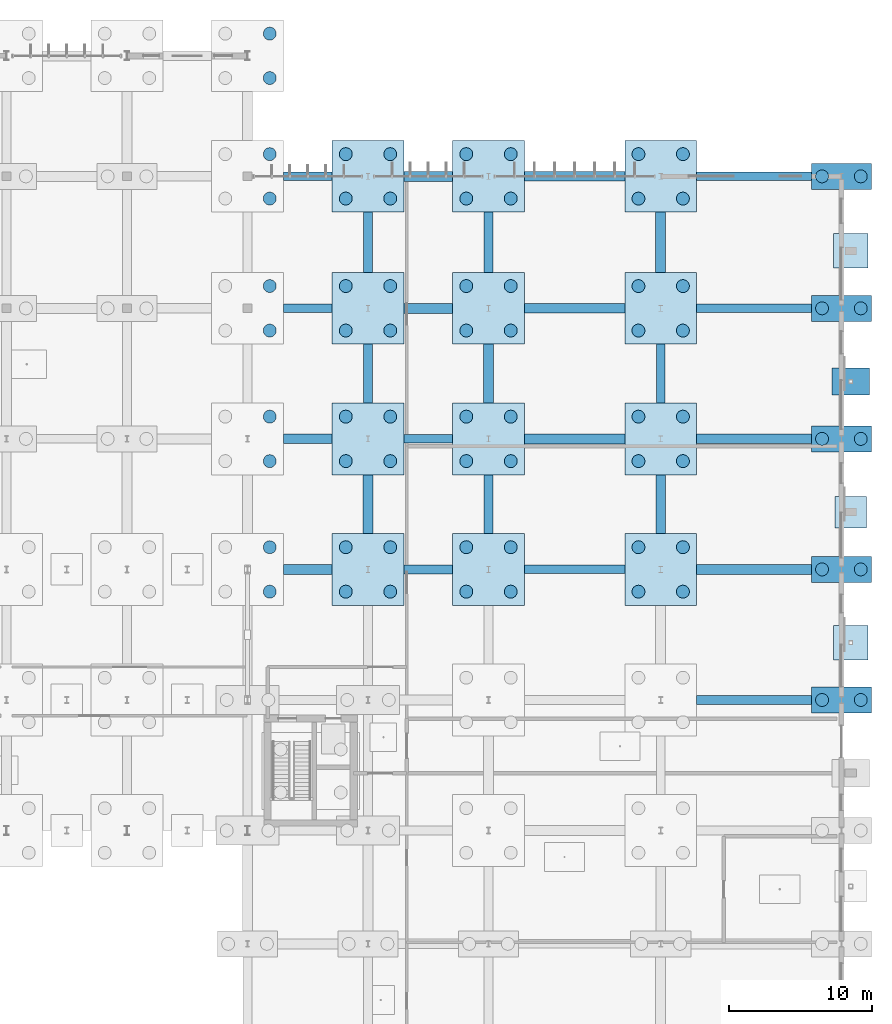
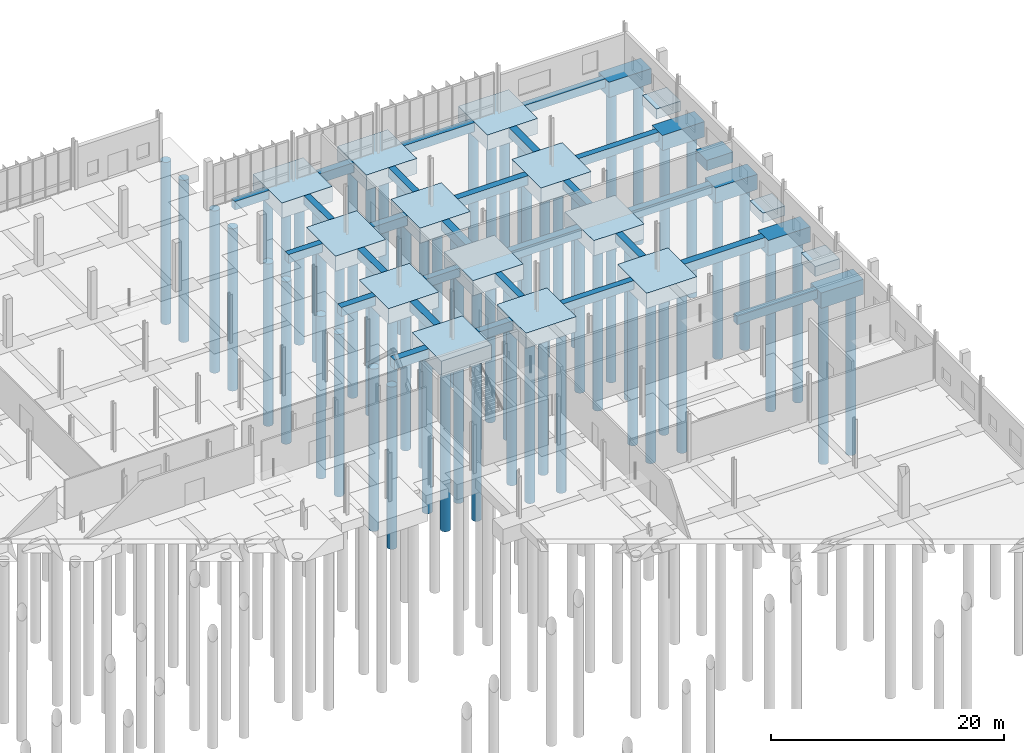
# One storey, part 8 of 119: 68 piles, 47 footings.
"""IFC4 building model written with IfcOpenShell, lengths in metres."""

from ifc_helpers import new_model, si_unit, derived_unit, direction, frame, origin, origin_2d, place, context, subcontext, project, spatial, rectangle, circle, extrude, material, layer, layer_set, material_profile, profile_set, type_object, element, save


model = new_model("IFC4")

# Units and contexts
model_context = context("Model", 3, precision=1e-05, world=origin(), true_north=direction((0.0, 1.0)))
body_context = subcontext(model_context, "Body", "Model", "MODEL_VIEW")
ifc_project = project(units=[si_unit("LENGTHUNIT", "METRE"), si_unit("AREAUNIT", "SQUARE_METRE"), si_unit("VOLUMEUNIT", "CUBIC_METRE"), si_unit("PLANEANGLEUNIT", "RADIAN"), si_unit("MASSUNIT", "GRAM", prefix="KILO"), derived_unit("THERMALTRANSMITTANCEUNIT", [(si_unit("MASSUNIT", "GRAM", prefix="KILO"), 1), (si_unit("TIMEUNIT", "SECOND"), -3), (si_unit("THERMODYNAMICTEMPERATUREUNIT", "KELVIN"), -1)])], contexts=[model_context])

# Site, building, storey
site_placement = place(None, origin())
site = spatial("IfcSite", under=ifc_project, at=site_placement, CompositionType="ELEMENT")
building_placement = place(site_placement, origin())
building = spatial("IfcBuilding", under=site, at=building_placement, Name="Makaiwela Harbour Ferry Terminal", CompositionType="ELEMENT")
storey_placement = place(building_placement, origin())
storey = spatial("IfcBuildingStorey", under=building, at=storey_placement, Name="L00", CompositionType="ELEMENT", Elevation=0.0)

# Footings
ifc_material = material(Name="Concrete f'c 45 MPa (6500 psi)", Category="concrete")
ifc_layer_1 = layer(ifc_material, 1.0)
ifc_layer_set_1 = layer_set([ifc_layer_1], Name="Concrete f'c 45 MPa (6500 psi)")
footing_type_1 = type_object("IfcFootingType", Name="FND-PAD-01", PredefinedType="PAD_FOOTING", material=ifc_layer_set_1)
footing_1_placement = place(storey_placement, frame((180.64990234375, 71.60009765625, -1.0), z_axis=(0.0, 0.0, 1.0), x_axis=(1.0, 0.0, 0.0)))
element("IfcFooting", 1, at=footing_1_placement, inside=storey, type_object=footing_type_1, Name="Foundation Footing PF-01", PredefinedType="PAD_FOOTING", context=body_context, shape_type="SweptSolid", body=[
    extrude(rectangle(XDim=2.199951171875, YDim=2.199951171875, at=origin_2d()), origin(), (0.0, 0.0, 1.0), 1.0),
])
ifc_layer_2 = layer(ifc_material, 1.10009765625)
ifc_layer_set_2 = layer_set([ifc_layer_2], Name="Concrete f'c 45 MPa (6500 psi)")
footing_type_2 = type_object("IfcFootingType", Name="FND-PAD-02", PredefinedType="PAD_FOOTING", material=ifc_layer_set_2)
footing_2_placement = place(storey_placement, frame((180.64990234375, 80.699951171875, -1.10009765625), z_axis=(0.0, 0.0, 1.0), x_axis=(1.0, 0.0, 0.0)))
element("IfcFooting", 2, at=footing_2_placement, inside=storey, type_object=footing_type_2, Name="Foundation Footing PF-02", PredefinedType="PAD_FOOTING", context=body_context, shape_type="SweptSolid", body=[
    extrude(rectangle(XDim=2.60009765625, YDim=1.89990234375, at=origin_2d()), origin(), (0.0, 0.0, 1.0), 1.10009765625),
])
ifc_layer_3 = layer(ifc_material, 1.050048828125)
ifc_layer_set_3 = layer_set([ifc_layer_3], Name="Concrete f'c 45 MPa (6500 psi)")
footing_type_3 = type_object("IfcFootingType", Name="FND-PAD-03", PredefinedType="PAD_FOOTING", material=ifc_layer_set_3)
for number, where, z_axis, x_axis, name in (
    (3, (180.64990234375, 62.5, -1.0498046875), (0.0, 0.0, 1.0), (1.0, 0.0, 0.0), "Foundation Footing PF-03"),
    (4, (180.64990234375, 89.800048828125, -1.0498046875), (0.0, 0.0, 1.0), (1.0, 0.0, 0.0), "Foundation Footing PF-03"),
):
    element("IfcFooting", number, at=place(storey_placement, frame(where, z_axis=z_axis, x_axis=x_axis)), inside=storey, type_object=footing_type_3, Name=name, PredefinedType="PAD_FOOTING", context=body_context, shape_type="SweptSolid", body=[
        extrude(rectangle(XDim=2.39990234375, YDim=2.39990234375, at=origin_2d()), origin(), (0.0, 0.0, 1.0), 1.050048828125),
    ])
ifc_layer_4 = layer(ifc_material, 1.60009765625)
ifc_layer_set_4 = layer_set([ifc_layer_4], Name="Concrete f'c 45 MPa (6500 psi)")
footing_type_4 = type_object("IfcFootingType", Name="FND-PC-01", PredefinedType="PILE_CAP", material=ifc_layer_set_4)
for number, where, z_axis, x_axis, name in (
    (5, (180.0, 58.5, -1.60009765625), (0.0, 0.0, 1.0), (1.0, 0.0, 0.0), "Foundation Footing PC-01"),
    (6, (180.0, 67.60009765625, -1.60009765625), (0.0, 0.0, 1.0), (1.0, 0.0, 0.0), "Foundation Footing PC-01"),
    (7, (180.0, 76.699951171875, -1.60009765625), (0.0, 0.0, 1.0), (1.0, 0.0, 0.0), "Foundation Footing PC-01"),
    (8, (180.0, 85.800048828125, -1.60009765625), (0.0, 0.0, 1.0), (1.0, 0.0, 0.0), "Foundation Footing PC-01"),
    (9, (180.0, 95.0, -1.60009765625), (0.0, 0.0, 1.0), (1.0, 0.0, 0.0), "Foundation Footing PC-01"),
):
    element("IfcFooting", number, at=place(storey_placement, frame(where, z_axis=z_axis, x_axis=x_axis)), inside=storey, type_object=footing_type_4, Name=name, PredefinedType="PILE_CAP", context=body_context, shape_type="SweptSolid", body=[
        extrude(rectangle(XDim=4.199951171875, YDim=1.800048828125, at=origin_2d()), origin(), (0.0, 0.0, 1.0), 1.60009765625),
    ])
ifc_layer_5 = layer(ifc_material, 1.60009765625)
ifc_layer_set_5 = layer_set([ifc_layer_5], Name="Concrete f'c 45 MPa (6500 psi)")
footing_type_5 = type_object("IfcFootingType", Name="FND-PC-04", PredefinedType="PILE_CAP", material=ifc_layer_set_5)
for number, where, z_axis, x_axis, name in (
    (10, (147.0, 67.60009765625, -1.60009765625), (0.0, 0.0, 1.0), (1.0, 0.0, 0.0), "Foundation Footing PC-04"),
    (11, (147.0, 76.699951171875, -1.60009765625), (0.0, 0.0, 1.0), (1.0, 0.0, 0.0), "Foundation Footing PC-04"),
    (12, (147.0, 85.800048828125, -1.60009765625), (0.0, 0.0, 1.0), (1.0, 0.0, 0.0), "Foundation Footing PC-04"),
    (13, (147.0, 95.0, -1.60009765625), (0.0, 0.0, 1.0), (1.0, 0.0, 0.0), "Foundation Footing PC-04"),
    (14, (155.39990234375, 67.60009765625, -1.60009765625), (0.0, 0.0, 1.0), (1.0, 0.0, 0.0), "Foundation Footing PC-04"),
    (15, (155.39990234375, 76.699951171875, -1.60009765625), (0.0, 0.0, 1.0), (1.0, 0.0, 0.0), "Foundation Footing PC-04"),
    (16, (155.39990234375, 85.800048828125, -1.60009765625), (0.0, 0.0, 1.0), (1.0, 0.0, 0.0), "Foundation Footing PC-04"),
    (17, (155.39990234375, 95.0, -1.60009765625), (0.0, 0.0, 1.0), (1.0, 0.0, 0.0), "Foundation Footing PC-04"),
    (18, (167.39990234375, 67.60009765625, -1.60009765625), (0.0, 0.0, 1.0), (1.0, 0.0, 0.0), "Foundation Footing PC-04"),
    (19, (167.39990234375, 76.699951171875, -1.60009765625), (0.0, 0.0, 1.0), (1.0, 0.0, 0.0), "Foundation Footing PC-04"),
    (20, (167.39990234375, 85.800048828125, -1.60009765625), (0.0, 0.0, 1.0), (1.0, 0.0, 0.0), "Foundation Footing PC-04"),
    (21, (167.39990234375, 95.0, -1.60009765625), (0.0, 0.0, 1.0), (1.0, 0.0, 0.0), "Foundation Footing PC-04"),
):
    element("IfcFooting", number, at=place(storey_placement, frame(where, z_axis=z_axis, x_axis=x_axis)), inside=storey, type_object=footing_type_5, Name=name, PredefinedType="PILE_CAP", context=body_context, shape_type="SweptSolid", body=[
        extrude(rectangle(XDim=5.0, YDim=5.0, at=origin_2d()), origin(), (0.0, 0.0, 1.0), 1.60009765625),
    ])

# Piles
ifc_material_profile = material_profile(ifc_material, circle(Radius=0.449951171875, at=origin_2d()), Name="PILE-D900")
ifc_profile_set = profile_set([ifc_material_profile], Name="Concrete f'c 45 MPa (6500 psi)")
pile_type = type_object("IfcPileType", Name="FND-PIL-D900", PredefinedType="BORED", material=ifc_profile_set)
for number, where, z_axis, x_axis, name in (
    (22, (140.14990234375, 66.050048828125, -1.449951171875), (0.0, 0.0, -1.0), (1.0, 0.0, 0.0), "Marine Pile MP-01"),
    (23, (140.14990234375, 69.14990234375, -1.449951171875), (0.0, 0.0, -1.0), (1.0, 0.0, 0.0), "Marine Pile MP-01"),
    (24, (140.14990234375, 75.14990234375, -1.449951171875), (0.0, 0.0, -1.0), (1.0, 0.0, 0.0), "Marine Pile MP-01"),
    (25, (140.14990234375, 78.25, -1.449951171875), (0.0, 0.0, -1.0), (1.0, 0.0, 0.0), "Marine Pile MP-01"),
    (26, (140.14990234375, 84.25, -1.449951171875), (0.0, 0.0, -1.0), (1.0, 0.0, 0.0), "Marine Pile MP-01"),
    (27, (140.14990234375, 87.35009765625, -1.449951171875), (0.0, 0.0, -1.0), (1.0, 0.0, 0.0), "Marine Pile MP-01"),
    (28, (140.14990234375, 93.449951171875, -1.449951171875), (0.0, 0.0, -1.0), (1.0, 0.0, 0.0), "Marine Pile MP-01"),
    (29, (140.14990234375, 96.550048828125, -1.449951171875), (0.0, 0.0, -1.0), (1.0, 0.0, 0.0), "Marine Pile MP-01"),
    (30, (140.14990234375, 101.85009765625, -1.449951171875), (0.0, 0.0, -1.0), (1.0, 0.0, 0.0), "Marine Pile MP-01"),
    (31, (140.14990234375, 104.949951171875, -1.449951171875), (0.0, 0.0, -1.0), (1.0, 0.0, 0.0), "Marine Pile MP-01"),
    (32, (145.449951171875, 66.050048828125, -1.449951171875), (0.0, 0.0, -1.0), (1.0, 0.0, 0.0), "Marine Pile MP-01"),
    (33, (148.550048828125, 66.050048828125, -1.449951171875), (0.0, 0.0, -1.0), (1.0, 0.0, 0.0), "Marine Pile MP-01"),
    (34, (145.449951171875, 69.14990234375, -1.449951171875), (0.0, 0.0, -1.0), (1.0, 0.0, 0.0), "Marine Pile MP-01"),
    (35, (148.550048828125, 69.14990234375, -1.449951171875), (0.0, 0.0, -1.0), (1.0, 0.0, 0.0), "Marine Pile MP-01"),
    (36, (145.449951171875, 75.14990234375, -1.449951171875), (0.0, 0.0, -1.0), (1.0, 0.0, 0.0), "Marine Pile MP-01"),
    (37, (148.550048828125, 75.14990234375, -1.449951171875), (0.0, 0.0, -1.0), (1.0, 0.0, 0.0), "Marine Pile MP-01"),
    (38, (145.449951171875, 78.25, -1.449951171875), (0.0, 0.0, -1.0), (1.0, 0.0, 0.0), "Marine Pile MP-01"),
    (39, (148.550048828125, 78.25, -1.449951171875), (0.0, 0.0, -1.0), (1.0, 0.0, 0.0), "Marine Pile MP-01"),
    (40, (145.449951171875, 84.25, -1.449951171875), (0.0, 0.0, -1.0), (1.0, 0.0, 0.0), "Marine Pile MP-01"),
    (41, (148.550048828125, 84.25, -1.449951171875), (0.0, 0.0, -1.0), (1.0, 0.0, 0.0), "Marine Pile MP-01"),
    (42, (145.449951171875, 87.35009765625, -1.449951171875), (0.0, 0.0, -1.0), (1.0, 0.0, 0.0), "Marine Pile MP-01"),
    (43, (148.550048828125, 87.35009765625, -1.449951171875), (0.0, 0.0, -1.0), (1.0, 0.0, 0.0), "Marine Pile MP-01"),
    (44, (145.449951171875, 93.449951171875, -1.449951171875), (0.0, 0.0, -1.0), (1.0, 0.0, 0.0), "Marine Pile MP-01"),
    (45, (148.550048828125, 93.449951171875, -1.449951171875), (0.0, 0.0, -1.0), (1.0, 0.0, 0.0), "Marine Pile MP-01"),
    (46, (145.449951171875, 96.550048828125, -1.449951171875), (0.0, 0.0, -1.0), (1.0, 0.0, 0.0), "Marine Pile MP-01"),
    (47, (148.550048828125, 96.550048828125, -1.449951171875), (0.0, 0.0, -1.0), (1.0, 0.0, 0.0), "Marine Pile MP-01"),
    (48, (153.85009765625, 66.050048828125, -1.449951171875), (0.0, 0.0, -1.0), (1.0, 0.0, 0.0), "Marine Pile MP-01"),
    (49, (156.949951171875, 66.050048828125, -1.449951171875), (0.0, 0.0, -1.0), (1.0, 0.0, 0.0), "Marine Pile MP-01"),
    (50, (153.85009765625, 69.14990234375, -1.449951171875), (0.0, 0.0, -1.0), (1.0, 0.0, 0.0), "Marine Pile MP-01"),
    (51, (156.949951171875, 69.14990234375, -1.449951171875), (0.0, 0.0, -1.0), (1.0, 0.0, 0.0), "Marine Pile MP-01"),
    (52, (153.85009765625, 75.14990234375, -1.449951171875), (0.0, 0.0, -1.0), (1.0, 0.0, 0.0), "Marine Pile MP-01"),
    (53, (156.949951171875, 75.14990234375, -1.449951171875), (0.0, 0.0, -1.0), (1.0, 0.0, 0.0), "Marine Pile MP-01"),
    (54, (153.85009765625, 78.25, -1.449951171875), (0.0, 0.0, -1.0), (1.0, 0.0, 0.0), "Marine Pile MP-01"),
    (55, (156.949951171875, 78.25, -1.449951171875), (0.0, 0.0, -1.0), (1.0, 0.0, 0.0), "Marine Pile MP-01"),
    (56, (153.85009765625, 84.25, -1.449951171875), (0.0, 0.0, -1.0), (1.0, 0.0, 0.0), "Marine Pile MP-01"),
    (57, (156.949951171875, 84.25, -1.449951171875), (0.0, 0.0, -1.0), (1.0, 0.0, 0.0), "Marine Pile MP-01"),
    (58, (153.85009765625, 87.35009765625, -1.449951171875), (0.0, 0.0, -1.0), (1.0, 0.0, 0.0), "Marine Pile MP-01"),
    (59, (156.949951171875, 87.35009765625, -1.449951171875), (0.0, 0.0, -1.0), (1.0, 0.0, 0.0), "Marine Pile MP-01"),
    (60, (153.85009765625, 93.449951171875, -1.449951171875), (0.0, 0.0, -1.0), (1.0, 0.0, 0.0), "Marine Pile MP-01"),
    (61, (156.949951171875, 93.449951171875, -1.449951171875), (0.0, 0.0, -1.0), (1.0, 0.0, 0.0), "Marine Pile MP-01"),
    (62, (153.85009765625, 96.550048828125, -1.449951171875), (0.0, 0.0, -1.0), (1.0, 0.0, 0.0), "Marine Pile MP-01"),
    (63, (156.949951171875, 96.550048828125, -1.449951171875), (0.0, 0.0, -1.0), (1.0, 0.0, 0.0), "Marine Pile MP-01"),
    (64, (165.85009765625, 66.050048828125, -1.449951171875), (0.0, 0.0, -1.0), (1.0, 0.0, 0.0), "Marine Pile MP-01"),
    (65, (168.949951171875, 66.050048828125, -1.449951171875), (0.0, 0.0, -1.0), (1.0, 0.0, 0.0), "Marine Pile MP-01"),
    (66, (165.85009765625, 69.14990234375, -1.449951171875), (0.0, 0.0, -1.0), (1.0, 0.0, 0.0), "Marine Pile MP-01"),
    (67, (168.949951171875, 69.14990234375, -1.449951171875), (0.0, 0.0, -1.0), (1.0, 0.0, 0.0), "Marine Pile MP-01"),
    (68, (165.85009765625, 75.14990234375, -1.449951171875), (0.0, 0.0, -1.0), (1.0, 0.0, 0.0), "Marine Pile MP-01"),
    (69, (168.949951171875, 75.14990234375, -1.449951171875), (0.0, 0.0, -1.0), (1.0, 0.0, 0.0), "Marine Pile MP-01"),
    (70, (165.85009765625, 78.25, -1.449951171875), (0.0, 0.0, -1.0), (1.0, 0.0, 0.0), "Marine Pile MP-01"),
    (71, (168.949951171875, 78.25, -1.449951171875), (0.0, 0.0, -1.0), (1.0, 0.0, 0.0), "Marine Pile MP-01"),
    (72, (165.85009765625, 84.25, -1.449951171875), (0.0, 0.0, -1.0), (1.0, 0.0, 0.0), "Marine Pile MP-01"),
    (73, (168.949951171875, 84.25, -1.449951171875), (0.0, 0.0, -1.0), (1.0, 0.0, 0.0), "Marine Pile MP-01"),
    (74, (165.85009765625, 87.35009765625, -1.449951171875), (0.0, 0.0, -1.0), (1.0, 0.0, 0.0), "Marine Pile MP-01"),
    (75, (168.949951171875, 87.35009765625, -1.449951171875), (0.0, 0.0, -1.0), (1.0, 0.0, 0.0), "Marine Pile MP-01"),
    (76, (165.85009765625, 93.449951171875, -1.449951171875), (0.0, 0.0, -1.0), (1.0, 0.0, 0.0), "Marine Pile MP-01"),
    (77, (168.949951171875, 93.449951171875, -1.449951171875), (0.0, 0.0, -1.0), (1.0, 0.0, 0.0), "Marine Pile MP-01"),
    (78, (165.85009765625, 96.550048828125, -1.449951171875), (0.0, 0.0, -1.0), (1.0, 0.0, 0.0), "Marine Pile MP-01"),
    (79, (168.949951171875, 96.550048828125, -1.449951171875), (0.0, 0.0, -1.0), (1.0, 0.0, 0.0), "Marine Pile MP-01"),
    (80, (178.64990234375, 58.5, -1.449951171875), (0.0, 0.0, -1.0), (1.0, 0.0, 0.0), "Marine Pile MP-01"),
    (81, (181.35009765625, 58.5, -1.449951171875), (0.0, 0.0, -1.0), (1.0, 0.0, 0.0), "Marine Pile MP-01"),
    (82, (178.64990234375, 67.60009765625, -1.449951171875), (0.0, 0.0, -1.0), (1.0, 0.0, 0.0), "Marine Pile MP-01"),
    (83, (181.35009765625, 67.60009765625, -1.449951171875), (0.0, 0.0, -1.0), (1.0, 0.0, 0.0), "Marine Pile MP-01"),
    (84, (178.64990234375, 76.699951171875, -1.449951171875), (0.0, 0.0, -1.0), (1.0, 0.0, 0.0), "Marine Pile MP-01"),
    (85, (181.35009765625, 76.699951171875, -1.449951171875), (0.0, 0.0, -1.0), (1.0, 0.0, 0.0), "Marine Pile MP-01"),
    (86, (178.64990234375, 85.800048828125, -1.449951171875), (0.0, 0.0, -1.0), (1.0, 0.0, 0.0), "Marine Pile MP-01"),
    (87, (181.35009765625, 85.800048828125, -1.449951171875), (0.0, 0.0, -1.0), (1.0, 0.0, 0.0), "Marine Pile MP-01"),
    (88, (178.64990234375, 95.0, -1.449951171875), (0.0, 0.0, -1.0), (1.0, 0.0, 0.0), "Marine Pile MP-01"),
    (89, (181.35009765625, 95.0, -1.449951171875), (0.0, 0.0, -1.0), (1.0, 0.0, 0.0), "Marine Pile MP-01"),
):
    element("IfcPile", number, at=place(storey_placement, frame(where, z_axis=z_axis, x_axis=x_axis)), inside=storey, type_object=pile_type, Name=name, PredefinedType="BORED", context=body_context, shape_type="SweptSolid", body=[
        extrude(circle(Radius=0.449951171875, at=origin_2d()), origin(), (0.0, 0.0, 1.0), 17.050048828125),
    ])

# Footings
ifc_layer_6 = layer(ifc_material, 0.89990234375)
ifc_layer_set_6 = layer_set([ifc_layer_6], Name="Concrete f'c 45 MPa (6500 psi)")
footing_type_6 = type_object("IfcFootingType", Name="FND-TB-01", PredefinedType="FOOTING_BEAM", material=ifc_layer_set_6)
footing_3_placement = place(storey_placement, frame((173.89990234375, 58.5, -0.89990234375), z_axis=(0.0, 0.0, 1.0), x_axis=(1.0, 0.0, 0.0)))
element("IfcFooting", 90, at=footing_3_placement, inside=storey, type_object=footing_type_6, Name="Foundation Footing TB-01", PredefinedType="FOOTING_BEAM", context=body_context, shape_type="SweptSolid", body=[
    extrude(rectangle(XDim=8.0, YDim=0.60009765625, at=origin_2d()), origin(), (0.0, 0.0, 1.0), 0.89990234375),
])
footing_4_placement = place(storey_placement, frame((161.39990234375, 67.60009765625, -0.89990234375), z_axis=(0.0, 0.0, 1.0), x_axis=(1.0, 0.0, 0.0)))
element("IfcFooting", 91, at=footing_4_placement, inside=storey, type_object=footing_type_6, Name="Foundation Footing TB-01", PredefinedType="FOOTING_BEAM", context=body_context, shape_type="SweptSolid", body=[
    extrude(rectangle(XDim=7.0, YDim=0.60009765625, at=origin_2d()), origin(), (0.0, 0.0, 1.0), 0.89990234375),
])
for number, where, z_axis, x_axis, name in (
    (92, (151.199951171875, 76.699951171875, -0.89990234375), (0.0, 0.0, 1.0), (1.0, 0.0, 0.0), "Foundation Footing TB-01"),
    (93, (142.800048828125, 85.800048828125, -0.89990234375), (0.0, 0.0, 1.0), (1.0, 0.0, 0.0), "Foundation Footing TB-01"),
):
    element("IfcFooting", number, at=place(storey_placement, frame(where, z_axis=z_axis, x_axis=x_axis)), inside=storey, type_object=footing_type_6, Name=name, PredefinedType="FOOTING_BEAM", context=body_context, shape_type="SweptSolid", body=[
        extrude(rectangle(XDim=3.39990234375, YDim=0.60009765625, at=origin_2d()), origin(), (0.0, 0.0, 1.0), 0.89990234375),
    ])
footing_5_placement = place(storey_placement, frame((173.89990234375, 85.800048828125, -0.89990234375), z_axis=(0.0, 0.0, 1.0), x_axis=(1.0, 0.0, 0.0)))
element("IfcFooting", 94, at=footing_5_placement, inside=storey, type_object=footing_type_6, Name="Foundation Footing TB-01", PredefinedType="FOOTING_BEAM", context=body_context, shape_type="SweptSolid", body=[
    extrude(rectangle(XDim=8.0, YDim=0.60009765625, at=origin_2d()), origin(), (0.0, 0.0, 1.0), 0.89990234375),
])
footing_6_placement = place(storey_placement, frame((142.800048828125, 95.0, -0.89990234375), z_axis=(0.0, 0.0, 1.0), x_axis=(1.0, 0.0, 0.0)))
element("IfcFooting", 95, at=footing_6_placement, inside=storey, type_object=footing_type_6, Name="Foundation Footing TB-01", PredefinedType="FOOTING_BEAM", context=body_context, shape_type="SweptSolid", body=[
    extrude(rectangle(XDim=3.39990234375, YDim=0.60009765625, at=origin_2d()), origin(), (0.0, 0.0, 1.0), 0.89990234375),
])
footing_7_placement = place(storey_placement, frame((173.89990234375, 95.0, -0.89990234375), z_axis=(0.0, 0.0, 1.0), x_axis=(1.0, 0.0, 0.0)))
element("IfcFooting", 96, at=footing_7_placement, inside=storey, type_object=footing_type_6, Name="Foundation Footing TB-01", PredefinedType="FOOTING_BEAM", context=body_context, shape_type="SweptSolid", body=[
    extrude(rectangle(XDim=8.0, YDim=0.60009765625, at=origin_2d()), origin(), (0.0, 0.0, 1.0), 0.89990234375),
])
footing_8_placement = place(storey_placement, frame((147.0, 90.39990234375, -0.89990234375), z_axis=(0.0, 0.0, 1.0), x_axis=(0.0, 1.0, 0.0)))
element("IfcFooting", 97, at=footing_8_placement, inside=storey, type_object=footing_type_6, Name="Foundation Footing TB-01", PredefinedType="FOOTING_BEAM", context=body_context, shape_type="SweptSolid", body=[
    extrude(rectangle(XDim=4.199951171875, YDim=0.60009765625, at=origin_2d()), origin(), (0.0, 0.0, 1.0), 0.89990234375),
])
for number, where, z_axis, x_axis, name in (
    (98, (155.39990234375, 72.14990234375, -0.89990234375), (0.0, 0.0, 1.0), (0.0, 1.0, 0.0), "Foundation Footing TB-01"),
    (99, (167.39990234375, 81.25, -0.89990234375), (0.0, 0.0, 1.0), (0.0, 1.0, 0.0), "Foundation Footing TB-01"),
):
    element("IfcFooting", number, at=place(storey_placement, frame(where, z_axis=z_axis, x_axis=x_axis)), inside=storey, type_object=footing_type_6, Name=name, PredefinedType="FOOTING_BEAM", context=body_context, shape_type="SweptSolid", body=[
        extrude(rectangle(XDim=4.10009765625, YDim=0.60009765625, at=origin_2d()), origin(), (0.0, 0.0, 1.0), 0.89990234375),
    ])
ifc_layer_7 = layer(ifc_material, 1.0)
ifc_layer_set_7 = layer_set([ifc_layer_7], Name="Concrete f'c 45 MPa (6500 psi)")
footing_type_7 = type_object("IfcFootingType", Name="FND-TB-02", PredefinedType="FOOTING_BEAM", material=ifc_layer_set_7)
footing_9_placement = place(storey_placement, frame((142.800048828125, 67.60009765625, -1.0), z_axis=(0.0, 0.0, 1.0), x_axis=(1.0, 0.0, 0.0)))
element("IfcFooting", 100, at=footing_9_placement, inside=storey, type_object=footing_type_7, Name="Foundation Footing TB-02", PredefinedType="FOOTING_BEAM", context=body_context, shape_type="SweptSolid", body=[
    extrude(rectangle(XDim=3.39990234375, YDim=0.699951171875, at=origin_2d()), origin(), (0.0, 0.0, 1.0), 1.0),
])
footing_10_placement = place(storey_placement, frame((173.89990234375, 67.60009765625, -1.0), z_axis=(0.0, 0.0, 1.0), x_axis=(1.0, 0.0, 0.0)))
element("IfcFooting", 101, at=footing_10_placement, inside=storey, type_object=footing_type_7, Name="Foundation Footing TB-02", PredefinedType="FOOTING_BEAM", context=body_context, shape_type="SweptSolid", body=[
    extrude(rectangle(XDim=8.0, YDim=0.699951171875, at=origin_2d()), origin(), (0.0, 0.0, 1.0), 1.0),
])
footing_11_placement = place(storey_placement, frame((161.39990234375, 76.699951171875, -1.0), z_axis=(0.0, 0.0, 1.0), x_axis=(1.0, 0.0, 0.0)))
element("IfcFooting", 102, at=footing_11_placement, inside=storey, type_object=footing_type_7, Name="Foundation Footing TB-02", PredefinedType="FOOTING_BEAM", context=body_context, shape_type="SweptSolid", body=[
    extrude(rectangle(XDim=7.0, YDim=0.699951171875, at=origin_2d()), origin(), (0.0, 0.0, 1.0), 1.0),
])
for number, where, z_axis, x_axis, name in (
    (103, (151.199951171875, 85.800048828125, -1.0), (0.0, 0.0, 1.0), (1.0, 0.0, 0.0), "Foundation Footing TB-02"),
    (104, (151.199951171875, 95.0, -1.0), (0.0, 0.0, 1.0), (1.0, 0.0, 0.0), "Foundation Footing TB-02"),
):
    element("IfcFooting", number, at=place(storey_placement, frame(where, z_axis=z_axis, x_axis=x_axis)), inside=storey, type_object=footing_type_7, Name=name, PredefinedType="FOOTING_BEAM", context=body_context, shape_type="SweptSolid", body=[
        extrude(rectangle(XDim=3.39990234375, YDim=0.699951171875, at=origin_2d()), origin(), (0.0, 0.0, 1.0), 1.0),
    ])
for number, where, z_axis, x_axis, name in (
    (105, (147.0, 72.14990234375, -1.0), (0.0, 0.0, 1.0), (0.0, 1.0, 0.0), "Foundation Footing TB-02"),
    (106, (155.39990234375, 81.25, -1.0), (0.0, 0.0, 1.0), (0.0, 1.0, 0.0), "Foundation Footing TB-02"),
):
    element("IfcFooting", number, at=place(storey_placement, frame(where, z_axis=z_axis, x_axis=x_axis)), inside=storey, type_object=footing_type_7, Name=name, PredefinedType="FOOTING_BEAM", context=body_context, shape_type="SweptSolid", body=[
        extrude(rectangle(XDim=4.10009765625, YDim=0.699951171875, at=origin_2d()), origin(), (0.0, 0.0, 1.0), 1.0),
    ])
footing_12_placement = place(storey_placement, frame((167.39990234375, 90.39990234375, -1.0), z_axis=(0.0, 0.0, 1.0), x_axis=(0.0, 1.0, 0.0)))
element("IfcFooting", 107, at=footing_12_placement, inside=storey, type_object=footing_type_7, Name="Foundation Footing TB-02", PredefinedType="FOOTING_BEAM", context=body_context, shape_type="SweptSolid", body=[
    extrude(rectangle(XDim=4.199951171875, YDim=0.699951171875, at=origin_2d()), origin(), (0.0, 0.0, 1.0), 1.0),
])
ifc_layer_8 = layer(ifc_material, 0.949951171875)
ifc_layer_set_8 = layer_set([ifc_layer_8], Name="Concrete f'c 45 MPa (6500 psi)")
footing_type_8 = type_object("IfcFootingType", Name="FND-TB-03", PredefinedType="FOOTING_BEAM", material=ifc_layer_set_8)
for number, where, z_axis, x_axis, name in (
    (108, (151.199951171875, 67.60009765625, -0.9501953125), (0.0, 0.0, 1.0), (1.0, 0.0, 0.0), "Foundation Footing TB-03"),
    (109, (142.800048828125, 76.699951171875, -0.9501953125), (0.0, 0.0, 1.0), (1.0, 0.0, 0.0), "Foundation Footing TB-03"),
):
    element("IfcFooting", number, at=place(storey_placement, frame(where, z_axis=z_axis, x_axis=x_axis)), inside=storey, type_object=footing_type_8, Name=name, PredefinedType="FOOTING_BEAM", context=body_context, shape_type="SweptSolid", body=[
        extrude(rectangle(XDim=3.39990234375, YDim=0.64990234375, at=origin_2d()), origin(), (0.0, 0.0, 1.0), 0.949951171875),
    ])
footing_13_placement = place(storey_placement, frame((173.89990234375, 76.699951171875, -0.9501953125), z_axis=(0.0, 0.0, 1.0), x_axis=(1.0, 0.0, 0.0)))
element("IfcFooting", 110, at=footing_13_placement, inside=storey, type_object=footing_type_8, Name="Foundation Footing TB-03", PredefinedType="FOOTING_BEAM", context=body_context, shape_type="SweptSolid", body=[
    extrude(rectangle(XDim=8.0, YDim=0.64990234375, at=origin_2d()), origin(), (0.0, 0.0, 1.0), 0.949951171875),
])
for number, where, z_axis, x_axis, name in (
    (111, (161.39990234375, 85.800048828125, -0.9501953125), (0.0, 0.0, 1.0), (1.0, 0.0, 0.0), "Foundation Footing TB-03"),
    (112, (161.39990234375, 95.0, -0.9501953125), (0.0, 0.0, 1.0), (1.0, 0.0, 0.0), "Foundation Footing TB-03"),
):
    element("IfcFooting", number, at=place(storey_placement, frame(where, z_axis=z_axis, x_axis=x_axis)), inside=storey, type_object=footing_type_8, Name=name, PredefinedType="FOOTING_BEAM", context=body_context, shape_type="SweptSolid", body=[
        extrude(rectangle(XDim=7.0, YDim=0.64990234375, at=origin_2d()), origin(), (0.0, 0.0, 1.0), 0.949951171875),
    ])
footing_14_placement = place(storey_placement, frame((147.0, 81.25, -0.9501953125), z_axis=(0.0, 0.0, 1.0), x_axis=(0.0, 1.0, 0.0)))
element("IfcFooting", 113, at=footing_14_placement, inside=storey, type_object=footing_type_8, Name="Foundation Footing TB-03", PredefinedType="FOOTING_BEAM", context=body_context, shape_type="SweptSolid", body=[
    extrude(rectangle(XDim=4.10009765625, YDim=0.64990234375, at=origin_2d()), origin(), (0.0, 0.0, 1.0), 0.949951171875),
])
footing_15_placement = place(storey_placement, frame((155.39990234375, 90.39990234375, -0.9501953125), z_axis=(0.0, 0.0, 1.0), x_axis=(0.0, 1.0, 0.0)))
element("IfcFooting", 114, at=footing_15_placement, inside=storey, type_object=footing_type_8, Name="Foundation Footing TB-03", PredefinedType="FOOTING_BEAM", context=body_context, shape_type="SweptSolid", body=[
    extrude(rectangle(XDim=4.199951171875, YDim=0.64990234375, at=origin_2d()), origin(), (0.0, 0.0, 1.0), 0.949951171875),
])
footing_16_placement = place(storey_placement, frame((167.39990234375, 72.14990234375, -0.9501953125), z_axis=(0.0, 0.0, 1.0), x_axis=(0.0, 1.0, 0.0)))
element("IfcFooting", 115, at=footing_16_placement, inside=storey, type_object=footing_type_8, Name="Foundation Footing TB-03", PredefinedType="FOOTING_BEAM", context=body_context, shape_type="SweptSolid", body=[
    extrude(rectangle(XDim=4.10009765625, YDim=0.64990234375, at=origin_2d()), origin(), (0.0, 0.0, 1.0), 0.949951171875),
])

save(model, "model.ifc")
